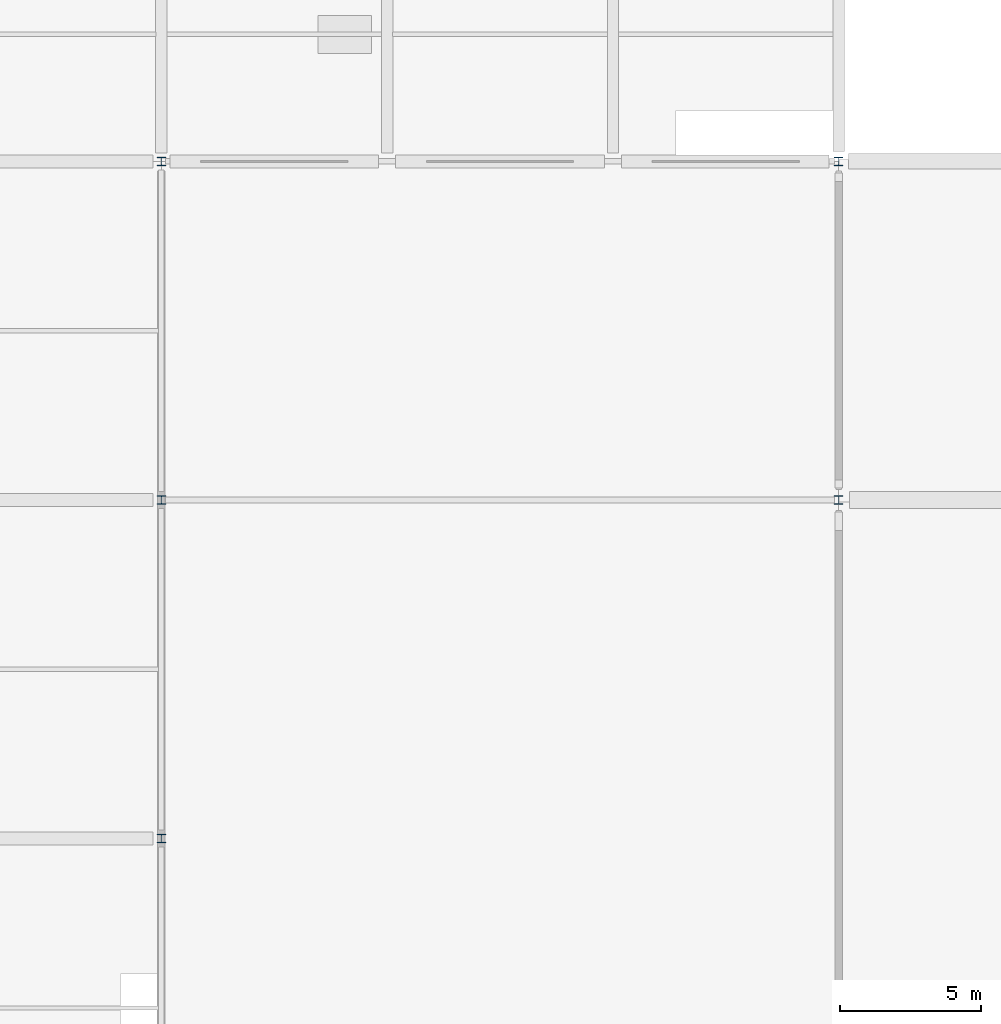
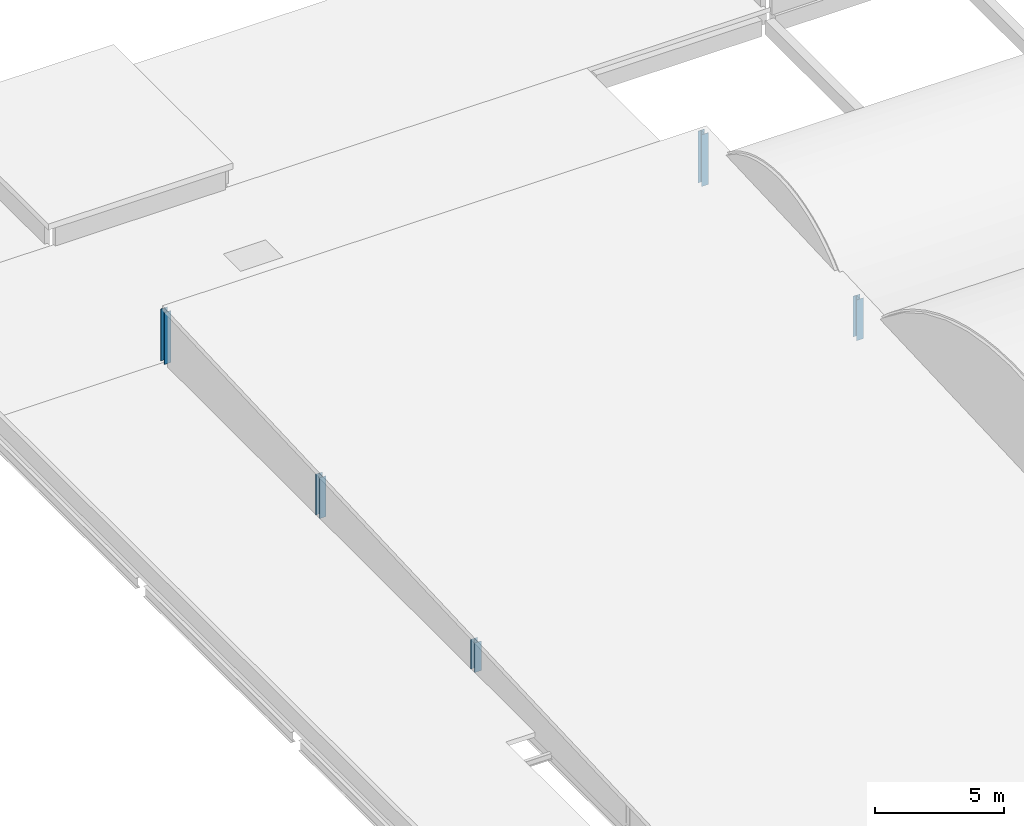
# One storey, part 1 of 57: 5 columns.
"""IFC4 building model written with IfcOpenShell, lengths in metres."""

from ifc_helpers import new_model, si_unit, direction, frame, origin, origin_2d, place, context, subcontext, project, spatial, i_section, extrude, material, material_profile, profile_set, type_object, element, save


model = new_model("IFC4")

# Units and contexts
model_context = context("Model", 3, precision=1e-05, world=origin(), true_north=direction((0.0, 1.0)))
body_context = subcontext(model_context, "Body", "Model", "MODEL_VIEW")
ifc_project = project(units=[si_unit("LENGTHUNIT", "METRE"), si_unit("AREAUNIT", "SQUARE_METRE"), si_unit("VOLUMEUNIT", "CUBIC_METRE"), si_unit("PLANEANGLEUNIT", "RADIAN"), si_unit("MASSUNIT", "GRAM", prefix="KILO"), si_unit("THERMODYNAMICTEMPERATUREUNIT", "KELVIN"), si_unit("POWERUNIT", "WATT")], contexts=[model_context])

# Site, building, storey
site_placement = place(None, origin())
site = spatial("IfcSite", under=ifc_project, at=site_placement, CompositionType="ELEMENT")
building_placement = place(site_placement, origin())
building = spatial("IfcBuilding", under=site, at=building_placement, Name="Kronsvod Quay Wholesale Market", CompositionType="ELEMENT")
storey_placement = place(building_placement, frame((0.0, 0.0, 13.199951171875)))
storey = spatial("IfcBuildingStorey", under=building, at=storey_placement, Name="L03", CompositionType="ELEMENT", Elevation=13.199951171875)

# Columns
ifc_material = material(Name="Steel S355", Category="steel")
ifc_material_profile = material_profile(ifc_material, i_section(OverallWidth=0.299072265625, OverallDepth=0.298095703125, WebThickness=0.009033203125, FlangeThickness=0.013916015625, FilletRadius=0.01806640625, at=origin_2d()), Name="30K1")
ifc_profile_set = profile_set([ifc_material_profile], Name="Steel S355")
column_type = type_object("IfcColumnType", Name="Col_Steel30K1", PredefinedType="COLUMN", material=ifc_profile_set)
column_1_placement = place(storey_placement, frame((8.0, 66.0, 0.0), z_axis=(0.0, 0.0, 1.0), x_axis=(1.0, 0.0, 0.0)))
element("IfcColumn", 1, at=column_1_placement, inside=storey, type_object=column_type, Name="SCOL-AUC-8-66", PredefinedType="COLUMN", context=body_context, shape_type="SweptSolid", body=[
    extrude(i_section(OverallWidth=0.299072265625, OverallDepth=0.298095703125, WebThickness=0.009033203125, FlangeThickness=0.013916015625, FilletRadius=0.01806640625, at=origin_2d()), origin(), (0.0, 0.0, 1.0), 1.3994140625),
])
column_2_placement = place(storey_placement, frame((8.0, 78.0, 0.0), z_axis=(0.0, 0.0, 1.0), x_axis=(1.0, 0.0, 0.0)))
element("IfcColumn", 2, at=column_2_placement, inside=storey, type_object=column_type, Name="SCOL-AUC-8-78", PredefinedType="COLUMN", context=body_context, shape_type="SweptSolid", body=[
    extrude(i_section(OverallWidth=0.299072265625, OverallDepth=0.298095703125, WebThickness=0.009033203125, FlangeThickness=0.013916015625, FilletRadius=0.01806640625, at=origin_2d()), origin(), (0.0, 0.0, 1.0), 1.9248046875),
])
column_3_placement = place(storey_placement, frame((8.0, 90.0, 0.0), z_axis=(0.0, 0.0, 1.0), x_axis=(1.0, 0.0, 0.0)))
element("IfcColumn", 3, at=column_3_placement, inside=storey, type_object=column_type, Name="SCOL-AUC-8-90", PredefinedType="COLUMN", context=body_context, shape_type="SweptSolid", body=[
    extrude(i_section(OverallWidth=0.299072265625, OverallDepth=0.298095703125, WebThickness=0.009033203125, FlangeThickness=0.013916015625, FilletRadius=0.01806640625, at=origin_2d()), origin(), (0.0, 0.0, 1.0), 2.449951171875),
])
column_4_placement = place(storey_placement, frame((32.0, 78.0, 0.0), z_axis=(0.0, 0.0, 1.0), x_axis=(1.0, 0.0, 0.0)))
element("IfcColumn", 4, at=column_4_placement, inside=storey, type_object=column_type, Name="SCOL-AUC-32-78", PredefinedType="COLUMN", context=body_context, shape_type="SweptSolid", body=[
    extrude(i_section(OverallWidth=0.299072265625, OverallDepth=0.298095703125, WebThickness=0.009033203125, FlangeThickness=0.013916015625, FilletRadius=0.01806640625, at=origin_2d()), origin(), (0.0, 0.0, 1.0), 1.9248046875),
])
column_5_placement = place(storey_placement, frame((32.0, 90.0, 0.0), z_axis=(0.0, 0.0, 1.0), x_axis=(1.0, 0.0, 0.0)))
element("IfcColumn", 5, at=column_5_placement, inside=storey, type_object=column_type, Name="SCOL-AUC-32-90", PredefinedType="COLUMN", context=body_context, shape_type="SweptSolid", body=[
    extrude(i_section(OverallWidth=0.299072265625, OverallDepth=0.298095703125, WebThickness=0.009033203125, FlangeThickness=0.013916015625, FilletRadius=0.01806640625, at=origin_2d()), origin(), (0.0, 0.0, 1.0), 2.449951171875),
])

save(model, "model.ifc")
